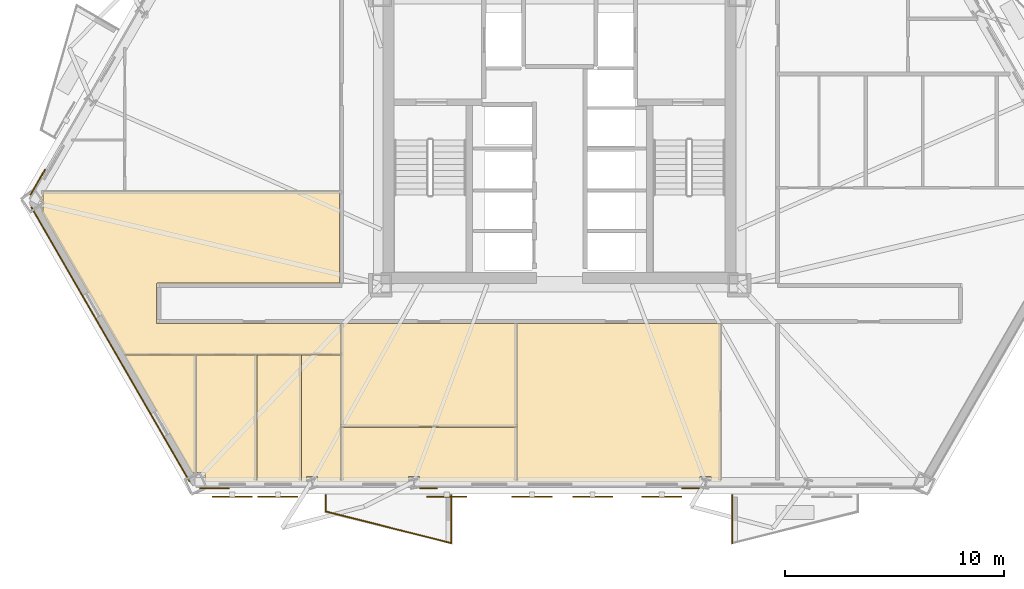
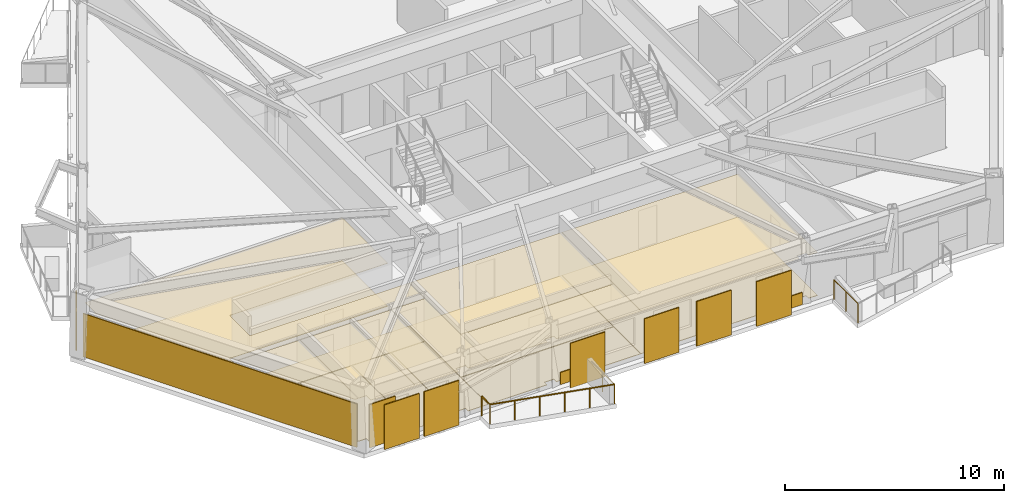
# One storey, part 7 of 12: 21 coverings, 6 shading devices, 4 railings.
"""IFC4 building model written with IfcOpenShell, lengths in metres."""

from ifc_helpers import new_model, si_unit, direction, frame, origin, origin_2d, place, context, subcontext, project, spatial, polyline, rectangle, circle, outline, extrude, material, layer, layer_set, type_object, element, save


model = new_model("IFC4")

# Units and contexts
model_context = context("Model", 3, precision=1e-05, world=origin(), true_north=direction((0.0, 1.0)))
body_context = subcontext(model_context, "Body", "Model", "MODEL_VIEW")
ifc_project = project(units=[si_unit("LENGTHUNIT", "METRE"), si_unit("AREAUNIT", "SQUARE_METRE"), si_unit("VOLUMEUNIT", "CUBIC_METRE"), si_unit("PLANEANGLEUNIT", "RADIAN"), si_unit("MASSUNIT", "GRAM", prefix="KILO")], contexts=[model_context])

# Site, building, storey
site_placement = place(None, origin())
site = spatial("IfcSite", under=ifc_project, at=site_placement, CompositionType="ELEMENT")
building_placement = place(site_placement, origin())
building = spatial("IfcBuilding", under=site, at=building_placement, Name="Oramaril Tower", CompositionType="ELEMENT")
storey_placement = place(building_placement, frame((0.0, 0.0, 45.300048828125)))
storey = spatial("IfcBuildingStorey", under=building, at=storey_placement, Name="L11", CompositionType="ELEMENT", Elevation=45.300048828125)

# Coverings
ifc_material_1 = material(Name="Mineral Fibre Acoustic Ceiling")
ifc_layer_1 = layer(ifc_material_1, 0.02001953125)
ifc_layer_set_1 = layer_set([ifc_layer_1], Name="CVT-CEIL")
covering_type_1 = type_object("IfcCoveringType", Name="CVT-CEIL", PredefinedType="CEILING", material=ifc_layer_set_1)
covering_1_placement = place(storey_placement, frame((0.0, 0.0, 2.39990234375)))
element("IfcCovering", 1, at=covering_1_placement, inside=storey, type_object=covering_type_1, Name="L11 Acoustic Suspended Ceiling 6", PredefinedType="CEILING", context=body_context, shape_type="SweptSolid", body=[
    extrude(outline(polyline([(27.508056640625, 9.199951171875), (35.5419921875, 9.199951171875), (35.5419921875, 4.48388671875), (27.508056640625, 4.48388671875), (27.508056640625, 9.199951171875)])), origin(), (0.0, 0.0, 1.0), 0.02001953125),
])
covering_2_placement = place(storey_placement, frame((0.0, 0.0, 2.39990234375)))
element("IfcCovering", 2, at=covering_2_placement, inside=storey, type_object=covering_type_1, Name="L11 Acoustic Suspended Ceiling 7", PredefinedType="CEILING", context=body_context, shape_type="SweptSolid", body=[
    extrude(outline(polyline([(31.09423828125, 2.21533203125), (30.601318359375, 2.21533203125), (30.601318359375, 1.98583984375), (27.508056640625, 1.98583984375), (27.508056640625, 4.464111328125), (35.5419921875, 4.464111328125), (35.5419921875, 1.98583984375), (31.09423828125, 1.98583984375), (31.09423828125, 2.21533203125)])), origin(), (0.0, 0.0, 1.0), 0.02001953125),
])
covering_3_placement = place(storey_placement, frame((0.0, 0.0, 2.39990234375)))
element("IfcCovering", 3, at=covering_3_placement, inside=storey, type_object=covering_type_1, Name="L11 Acoustic Suspended Ceiling 8", PredefinedType="CEILING", context=body_context, shape_type="SweptSolid", body=[
    extrude(outline(polyline([(44.398681640625, 1.98583984375), (44.398681640625, 2.21533203125), (43.90576171875, 2.21533203125), (43.90576171875, 1.98583984375), (35.56201171875, 1.98583984375), (35.56201171875, 4.464111328125), (35.56201171875, 4.466064453125), (35.5615234375, 4.468017578125), (35.56103515625, 4.4697265625), (35.560546875, 4.4716796875), (35.5595703125, 4.473388671875), (35.559326171875, 4.47412109375), (35.5595703125, 4.474609375), (35.560546875, 4.476318359375), (35.56103515625, 4.478271484375), (35.5615234375, 4.47998046875), (35.56201171875, 4.48193359375), (35.56201171875, 4.48388671875), (35.56201171875, 9.199951171875), (44.863037109375, 9.199951171875), (44.863037109375, 1.98583984375), (44.398681640625, 1.98583984375)])), origin(), (0.0, 0.0, 1.0), 0.02001953125),
])
covering_4_placement = place(storey_placement, frame((0.0, 0.0, 2.39990234375)))
element("IfcCovering", 4, at=covering_4_placement, inside=storey, type_object=covering_type_1, Name="L11 Acoustic Suspended Ceiling 10", PredefinedType="CEILING", context=body_context, shape_type="SweptSolid", body=[
    extrude(outline(polyline([(17.609130859375, 7.781494140625), (13.83544921875, 14.31787109375), (13.89892578125, 14.31787109375), (13.89892578125, 15.241943359375), (27.449951171875, 15.241943359375), (27.449951171875, 11.050048828125), (19.1201171875, 11.050048828125), (19.117919921875, 11.0498046875), (19.1162109375, 11.049560546875), (19.1142578125, 11.049072265625), (19.1123046875, 11.048583984375), (19.110595703125, 11.047607421875), (19.10888671875, 11.046630859375), (19.107421875, 11.04541015625), (19.10595703125, 11.044189453125), (19.1044921875, 11.042724609375), (19.103515625, 11.041015625), (19.102294921875, 11.039306640625), (19.1015625, 11.03759765625), (19.100830078125, 11.035888671875), (19.100341796875, 11.033935546875), (19.10009765625, 11.031982421875), (19.10009765625, 11.030029296875), (19.10009765625, 9.219970703125), (19.10009765625, 9.218017578125), (19.100341796875, 9.216064453125), (19.100830078125, 9.214111328125), (19.1015625, 9.21240234375), (19.102294921875, 9.210693359375), (19.103515625, 9.208984375), (19.1044921875, 9.207275390625), (19.10595703125, 9.205810546875), (19.107421875, 9.20458984375), (19.10888671875, 9.203369140625), (19.110595703125, 9.202392578125), (19.1123046875, 9.201416015625), (19.1142578125, 9.200927734375), (19.1162109375, 9.200439453125), (19.117919921875, 9.2001953125), (19.1201171875, 9.199951171875), (27.488037109375, 9.199951171875), (27.488037109375, 7.781494140625), (17.609130859375, 7.781494140625)])), origin(), (0.0, 0.0, 1.0), 0.02001953125),
])
covering_5_placement = place(storey_placement, frame((0.0, 0.0, 2.39990234375)))
element("IfcCovering", 5, at=covering_5_placement, inside=storey, type_object=covering_type_1, Name="L11 Acoustic Suspended Ceiling 11", PredefinedType="CEILING", context=body_context, shape_type="SweptSolid", body=[
    extrude(outline(polyline([(20.717041015625, 2.398193359375), (17.62060546875, 7.76171875), (20.888916015625, 7.76171875), (20.888916015625, 2.398193359375), (20.717041015625, 2.398193359375)])), origin(), (0.0, 0.0, 1.0), 0.02001953125),
])
covering_6_placement = place(storey_placement, frame((0.0, 0.0, 2.39990234375)))
element("IfcCovering", 6, at=covering_6_placement, inside=storey, type_object=covering_type_1, Name="L11 Acoustic Suspended Ceiling 12", PredefinedType="CEILING", context=body_context, shape_type="SweptSolid", body=[
    extrude(outline(polyline([(21.31298828125, 1.98583984375), (21.31298828125, 2.398193359375), (20.908935546875, 2.398193359375), (20.908935546875, 7.76171875), (23.652099609375, 7.76171875), (23.652099609375, 1.98583984375), (21.31298828125, 1.98583984375)])), origin(), (0.0, 0.0, 1.0), 0.02001953125),
])
covering_7_placement = place(storey_placement, frame((0.0, 0.0, 2.39990234375)))
element("IfcCovering", 7, at=covering_7_placement, inside=storey, type_object=covering_type_1, Name="L11 Acoustic Suspended Ceiling 13", PredefinedType="CEILING", context=body_context, shape_type="SweptSolid", body=[
    extrude(outline(polyline([(23.672119140625, 1.98583984375), (23.672119140625, 7.76171875), (25.701904296875, 7.76171875), (25.701904296875, 1.98583984375), (23.672119140625, 1.98583984375)])), origin(), (0.0, 0.0, 1.0), 0.02001953125),
])
covering_8_placement = place(storey_placement, frame((0.0, 0.0, 2.39990234375)))
element("IfcCovering", 8, at=covering_8_placement, inside=storey, type_object=covering_type_1, Name="L11 Acoustic Suspended Ceiling 14", PredefinedType="CEILING", context=body_context, shape_type="SweptSolid", body=[
    extrude(outline(polyline([(26.444091796875, 1.98583984375), (26.444091796875, 2.21533203125), (25.93798828125, 2.21533203125), (25.93798828125, 1.98583984375), (25.721923828125, 1.98583984375), (25.721923828125, 7.76171875), (27.488037109375, 7.76171875), (27.488037109375, 4.48388671875), (27.488037109375, 4.48193359375), (27.48828125, 4.47998046875), (27.489013671875, 4.478271484375), (27.489501953125, 4.476318359375), (27.490478515625, 4.474609375), (27.49072265625, 4.47412109375), (27.490478515625, 4.473388671875), (27.489501953125, 4.4716796875), (27.489013671875, 4.4697265625), (27.48828125, 4.468017578125), (27.488037109375, 4.466064453125), (27.488037109375, 4.464111328125), (27.488037109375, 1.98583984375), (26.444091796875, 1.98583984375)])), origin(), (0.0, 0.0, 1.0), 0.02001953125),
])
ifc_material_2 = material(Name="Warm Cream Limestone", Category="masonry")
ifc_layer_2 = layer(ifc_material_2, 0.050048828125)
ifc_layer_set_2 = layer_set([ifc_layer_2], Name="CVT-CLD")
covering_type_2 = type_object("IfcCoveringType", Name="CVT-CLD", PredefinedType="CLADDING", material=ifc_layer_set_2)
covering_9_placement = place(storey_placement, frame((16.987060546875, 8.2568359375, 0.0400390625), z_axis=(0.0, 0.0, 1.0), x_axis=(0.499995465495, -0.866028021766, 0.0)))
element("IfcCovering", 9, at=covering_9_placement, inside=storey, type_object=covering_type_2, Name="L11 Warm Cream Limestone Cladding", PredefinedType="CLADDING", context=body_context, shape_type="SweptSolid", body=[
    extrude(rectangle(XDim=14.45458984375, YDim=0.050048828125, at=origin_2d()), origin(), (0.0, 0.0, 1.0), 2.4140625),
])
covering_10_placement = place(storey_placement, frame((21.742919921875, 1.684814453125, 0.0400390625), z_axis=(0.0, 0.0, 1.0), x_axis=(1.0, 0.0, 0.0)))
element("IfcCovering", 10, at=covering_10_placement, inside=storey, type_object=covering_type_2, Name="L11 Warm Cream Limestone Cladding", PredefinedType="CLADDING", context=body_context, shape_type="SweptSolid", body=[
    extrude(rectangle(XDim=1.35009765625, YDim=0.050048828125, at=origin_2d()), origin(), (0.0, 0.0, 1.0), 2.4140625),
])
for number, where, z_axis, x_axis, name in (
    (11, (31.521484375, 1.684814453125, 0.0400390625), (0.0, 0.0, 1.0), (1.0, 0.0, 0.0), "L11 Warm Cream Limestone Spandrel Cladding"),
    (12, (43.478515625, 1.684814453125, 0.0400390625), (0.0, 0.0, 1.0), (1.0, 0.0, 0.0), "L11 Warm Cream Limestone Spandrel Cladding"),
):
    element("IfcCovering", number, at=place(storey_placement, frame(where, z_axis=z_axis, x_axis=x_axis)), inside=storey, type_object=covering_type_2, Name=name, PredefinedType="CLADDING", context=body_context, shape_type="SweptSolid", body=[
        extrude(rectangle(XDim=0.800048828125, YDim=0.050048828125, at=origin_2d()), origin(), (0.0, 0.0, 1.0), 0.679931640625),
    ])
covering_11_placement = place(storey_placement, frame((13.673583984375, 15.66162109375, 0.0400390625), z_axis=(0.0, 0.0, 1.0), x_axis=(-0.500001511499, -0.866024531118, 0.0)))
element("IfcCovering", 13, at=covering_11_placement, inside=storey, type_object=covering_type_2, Name="L11 Warm Cream Limestone Cladding", PredefinedType="CLADDING", context=body_context, shape_type="SweptSolid", body=[
    extrude(rectangle(XDim=1.35009765625, YDim=0.050048828125, at=origin_2d()), origin(), (0.0, 0.0, 1.0), 2.4140625),
])
ifc_material_3 = material(Name="Honed Quartzite Stone Flooring", Category="masonry")
ifc_layer_3 = layer(ifc_material_3, 0.02490234375)
ifc_layer_set_3 = layer_set([ifc_layer_3], Name="CVT-FLR")
covering_type_3 = type_object("IfcCoveringType", Name="CVT-FLR", PredefinedType="FLOORING", material=ifc_layer_set_3)
covering_12_placement = place(storey_placement, origin())
element("IfcCovering", 14, at=covering_12_placement, inside=storey, type_object=covering_type_3, Name="L11 Honed Stone Floor Finish 6", PredefinedType="FLOORING", context=body_context, shape_type="SweptSolid", body=[
    extrude(outline(polyline([(27.508056640625, 9.199951171875), (35.5419921875, 9.199951171875), (35.5419921875, 4.48388671875), (27.508056640625, 4.48388671875), (27.508056640625, 9.199951171875)])), origin(), (0.0, 0.0, 1.0), 0.02490234375),
])
covering_13_placement = place(storey_placement, origin())
element("IfcCovering", 15, at=covering_13_placement, inside=storey, type_object=covering_type_3, Name="L11 Honed Stone Floor Finish 7", PredefinedType="FLOORING", context=body_context, shape_type="SweptSolid", body=[
    extrude(outline(polyline([(31.09423828125, 2.21533203125), (30.601318359375, 2.21533203125), (30.601318359375, 1.98583984375), (27.508056640625, 1.98583984375), (27.508056640625, 4.464111328125), (35.5419921875, 4.464111328125), (35.5419921875, 1.98583984375), (31.09423828125, 1.98583984375), (31.09423828125, 2.21533203125)])), origin(), (0.0, 0.0, 1.0), 0.02490234375),
])
covering_14_placement = place(storey_placement, origin())
element("IfcCovering", 16, at=covering_14_placement, inside=storey, type_object=covering_type_3, Name="L11 Honed Stone Floor Finish 8", PredefinedType="FLOORING", context=body_context, shape_type="SweptSolid", body=[
    extrude(outline(polyline([(44.398681640625, 1.98583984375), (44.398681640625, 2.21533203125), (43.90576171875, 2.21533203125), (43.90576171875, 1.98583984375), (35.56201171875, 1.98583984375), (35.56201171875, 4.464111328125), (35.56201171875, 4.466064453125), (35.5615234375, 4.468017578125), (35.56103515625, 4.4697265625), (35.560546875, 4.4716796875), (35.5595703125, 4.473388671875), (35.559326171875, 4.47412109375), (35.5595703125, 4.474609375), (35.560546875, 4.476318359375), (35.56103515625, 4.478271484375), (35.5615234375, 4.47998046875), (35.56201171875, 4.48193359375), (35.56201171875, 4.48388671875), (35.56201171875, 9.199951171875), (44.863037109375, 9.199951171875), (44.863037109375, 1.98583984375), (44.398681640625, 1.98583984375)])), origin(), (0.0, 0.0, 1.0), 0.02490234375),
])
covering_15_placement = place(storey_placement, origin())
element("IfcCovering", 17, at=covering_15_placement, inside=storey, type_object=covering_type_3, Name="L11 Honed Stone Floor Finish 10", PredefinedType="FLOORING", context=body_context, shape_type="SweptSolid", body=[
    extrude(outline(polyline([(17.609130859375, 7.781494140625), (13.83544921875, 14.31787109375), (13.89892578125, 14.31787109375), (13.89892578125, 15.241943359375), (27.449951171875, 15.241943359375), (27.449951171875, 11.050048828125), (19.1201171875, 11.050048828125), (19.117919921875, 11.0498046875), (19.1162109375, 11.049560546875), (19.1142578125, 11.049072265625), (19.1123046875, 11.048583984375), (19.110595703125, 11.047607421875), (19.10888671875, 11.046630859375), (19.107421875, 11.04541015625), (19.10595703125, 11.044189453125), (19.1044921875, 11.042724609375), (19.103515625, 11.041015625), (19.102294921875, 11.039306640625), (19.1015625, 11.03759765625), (19.100830078125, 11.035888671875), (19.100341796875, 11.033935546875), (19.10009765625, 11.031982421875), (19.10009765625, 11.030029296875), (19.10009765625, 9.219970703125), (19.10009765625, 9.218017578125), (19.100341796875, 9.216064453125), (19.100830078125, 9.214111328125), (19.1015625, 9.21240234375), (19.102294921875, 9.210693359375), (19.103515625, 9.208984375), (19.1044921875, 9.207275390625), (19.10595703125, 9.205810546875), (19.107421875, 9.20458984375), (19.10888671875, 9.203369140625), (19.110595703125, 9.202392578125), (19.1123046875, 9.201416015625), (19.1142578125, 9.200927734375), (19.1162109375, 9.200439453125), (19.117919921875, 9.2001953125), (19.1201171875, 9.199951171875), (27.488037109375, 9.199951171875), (27.488037109375, 7.781494140625), (17.609130859375, 7.781494140625)])), origin(), (0.0, 0.0, 1.0), 0.02490234375),
])
covering_16_placement = place(storey_placement, origin())
element("IfcCovering", 18, at=covering_16_placement, inside=storey, type_object=covering_type_3, Name="L11 Honed Stone Floor Finish 11", PredefinedType="FLOORING", context=body_context, shape_type="SweptSolid", body=[
    extrude(outline(polyline([(20.717041015625, 2.398193359375), (17.62060546875, 7.76171875), (20.888916015625, 7.76171875), (20.888916015625, 2.398193359375), (20.717041015625, 2.398193359375)])), origin(), (0.0, 0.0, 1.0), 0.02490234375),
])
covering_17_placement = place(storey_placement, origin())
element("IfcCovering", 19, at=covering_17_placement, inside=storey, type_object=covering_type_3, Name="L11 Honed Stone Floor Finish 12", PredefinedType="FLOORING", context=body_context, shape_type="SweptSolid", body=[
    extrude(outline(polyline([(21.31298828125, 1.98583984375), (21.31298828125, 2.398193359375), (20.908935546875, 2.398193359375), (20.908935546875, 7.76171875), (23.652099609375, 7.76171875), (23.652099609375, 1.98583984375), (21.31298828125, 1.98583984375)])), origin(), (0.0, 0.0, 1.0), 0.02490234375),
])
covering_18_placement = place(storey_placement, origin())
element("IfcCovering", 20, at=covering_18_placement, inside=storey, type_object=covering_type_3, Name="L11 Honed Stone Floor Finish 13", PredefinedType="FLOORING", context=body_context, shape_type="SweptSolid", body=[
    extrude(outline(polyline([(23.672119140625, 1.98583984375), (23.672119140625, 7.76171875), (25.701904296875, 7.76171875), (25.701904296875, 1.98583984375), (23.672119140625, 1.98583984375)])), origin(), (0.0, 0.0, 1.0), 0.02490234375),
])
covering_19_placement = place(storey_placement, origin())
element("IfcCovering", 21, at=covering_19_placement, inside=storey, type_object=covering_type_3, Name="L11 Honed Stone Floor Finish 14", PredefinedType="FLOORING", context=body_context, shape_type="SweptSolid", body=[
    extrude(outline(polyline([(26.444091796875, 1.98583984375), (26.444091796875, 2.21533203125), (25.93798828125, 2.21533203125), (25.93798828125, 1.98583984375), (25.721923828125, 1.98583984375), (25.721923828125, 7.76171875), (27.488037109375, 7.76171875), (27.488037109375, 4.48388671875), (27.488037109375, 4.48193359375), (27.48828125, 4.47998046875), (27.489013671875, 4.478271484375), (27.489501953125, 4.476318359375), (27.490478515625, 4.474609375), (27.49072265625, 4.47412109375), (27.490478515625, 4.473388671875), (27.489501953125, 4.4716796875), (27.489013671875, 4.4697265625), (27.48828125, 4.468017578125), (27.488037109375, 4.466064453125), (27.488037109375, 4.464111328125), (27.488037109375, 1.98583984375), (26.444091796875, 1.98583984375)])), origin(), (0.0, 0.0, 1.0), 0.02490234375),
])

# Railings
ifc_material_4 = material(Name="Stainless Steel 316L", Category="steel")
railing_type = type_object("IfcRailingType", Name="RLT-GRD", PredefinedType="GUARDRAIL", material=ifc_material_4)
railing_1_placement = place(storey_placement, frame((32.542236328125, 1.369873046875, 0.0)))
element("IfcRailing", 22, at=railing_1_placement, inside=storey, type_object=railing_type, Name="L11 Balcony Guardrail L11-BAL-S1.1", PredefinedType="GUARDRAIL", context=body_context, shape_type="SweptSolid", body=[
    extrude(circle(Radius=0.02392578125, at=origin_2d()), frame((0.0, 0.0, 1.076171875), z_axis=(0.0, -1.0, 0.0), x_axis=(1.0, 0.0, 0.0)), (0.0, 0.0, 1.0), 2.192138671875),
    extrude(circle(Radius=0.02099609375, at=origin_2d()), origin(), (0.0, 0.0, 1.0), 1.052001953125),
    extrude(circle(Radius=0.02099609375, at=origin_2d()), frame((0.0, -1.09619140625, 0.0)), (0.0, 0.0, 1.0), 1.052001953125),
    extrude(circle(Radius=0.02099609375, at=origin_2d()), frame((0.0, -2.192138671875, 0.0)), (0.0, 0.0, 1.0), 1.052001953125),
])
railing_2_placement = place(storey_placement, frame((32.542236328125, -0.822265625, 0.0)))
element("IfcRailing", 23, at=railing_2_placement, inside=storey, type_object=railing_type, Name="L11 Balcony Guardrail L11-BAL-S1.2", PredefinedType="GUARDRAIL", context=body_context, shape_type="SweptSolid", body=[
    extrude(circle(Radius=0.02392578125, at=origin_2d()), frame((0.0, 0.0, 1.076171875), z_axis=(-0.969443611257, 0.245314256807, 0.0), x_axis=(-0.245314256807, -0.969443611257, 0.0)), (0.0, 0.0, 1.0), 5.91064453125),
    extrude(circle(Radius=0.02099609375, at=origin_2d()), origin(), (0.0, 0.0, 1.0), 1.052001953125),
    extrude(circle(Radius=0.02099609375, at=origin_2d()), frame((-1.14599609375, 0.2900390625, 0.0)), (0.0, 0.0, 1.0), 1.052001953125),
    extrude(circle(Radius=0.02099609375, at=origin_2d()), frame((-2.2919921875, 0.580078125, 0.0)), (0.0, 0.0, 1.0), 1.052001953125),
    extrude(circle(Radius=0.02099609375, at=origin_2d()), frame((-3.43798828125, 0.869873046875, 0.0)), (0.0, 0.0, 1.0), 1.052001953125),
    extrude(circle(Radius=0.02099609375, at=origin_2d()), frame((-4.583984375, 1.159912109375, 0.0)), (0.0, 0.0, 1.0), 1.052001953125),
    extrude(circle(Radius=0.02099609375, at=origin_2d()), frame((-5.72998046875, 1.449951171875, 0.0)), (0.0, 0.0, 1.0), 1.052001953125),
])
railing_3_placement = place(storey_placement, frame((26.812255859375, 0.627685546875, 0.0)))
element("IfcRailing", 24, at=railing_3_placement, inside=storey, type_object=railing_type, Name="L11 Balcony Guardrail L11-BAL-S1.3", PredefinedType="GUARDRAIL", context=body_context, shape_type="SweptSolid", body=[
    extrude(circle(Radius=0.02392578125, at=origin_2d()), frame((0.0, 0.0, 1.076171875), z_axis=(0.0, 1.0, 0.0), x_axis=(-1.0, 0.0, 0.0)), (0.0, 0.0, 1.0), 0.7421875),
    extrude(circle(Radius=0.02099609375, at=origin_2d()), origin(), (0.0, 0.0, 1.0), 1.052001953125),
    extrude(circle(Radius=0.02099609375, at=origin_2d()), frame((0.0, 0.7421875, 0.0)), (0.0, 0.0, 1.0), 1.052001953125),
])
railing_4_placement = place(storey_placement, frame((45.3828125, -0.822265625, 0.0)))
element("IfcRailing", 25, at=railing_4_placement, inside=storey, type_object=railing_type, Name="L11 Balcony Guardrail L11-BAL-S2.3", PredefinedType="GUARDRAIL", context=body_context, shape_type="SweptSolid", body=[
    extrude(circle(Radius=0.02392578125, at=origin_2d()), frame((0.0, 0.0, 1.076171875), z_axis=(0.0, 1.0, 0.0), x_axis=(-1.0, 0.0, 0.0)), (0.0, 0.0, 1.0), 2.192138671875),
    extrude(circle(Radius=0.02099609375, at=origin_2d()), origin(), (0.0, 0.0, 1.0), 1.052001953125),
    extrude(circle(Radius=0.02099609375, at=origin_2d()), frame((0.0, 1.09619140625, 0.0)), (0.0, 0.0, 1.0), 1.052001953125),
    extrude(circle(Radius=0.02099609375, at=origin_2d()), frame((0.0, 2.192138671875, 0.0)), (0.0, 0.0, 1.0), 1.052001953125),
])

# Shading devices
for number, where, z_axis, x_axis, name in (
    (26, (32.338623046875, 1.2978515625, -0.02001953125), (0.0, 0.0, 1.0), (1.0, 0.0, 0.0), "L11 Perforated Ceramic Solar Screen"),
    (27, (36.238525390625, 1.2978515625, -0.02001953125), (0.0, 0.0, 1.0), (1.0, 0.0, 0.0), "L11 Perforated Ceramic Solar Screen"),
    (28, (39.004150390625, 1.2978515625, -0.02001953125), (0.0, 0.0, 1.0), (1.0, 0.0, 0.0), "L11 Perforated Ceramic Solar Screen"),
    (29, (42.163818359375, 1.2978515625, -0.02001953125), (0.0, 0.0, 1.0), (1.0, 0.0, 0.0), "L11 Perforated Ceramic Solar Screen"),
    (30, (22.547607421875, 1.2978515625, -0.02001953125), (0.0, 0.0, 1.0), (1.0, 0.0, 0.0), "L11 Perforated Ceramic Solar Screen"),
    (31, (24.635009765625, 1.2978515625, -0.02001953125), (0.0, 0.0, 1.0), (1.0, 0.0, 0.0), "L11 Perforated Ceramic Solar Screen"),
):
    element("IfcShadingDevice", number, at=place(storey_placement, frame(where, z_axis=z_axis, x_axis=x_axis)), inside=storey, Name=name, ObjectType="SCREEN", PredefinedType="USERDEFINED", context=body_context, shape_type="SweptSolid", body=[
        extrude(rectangle(XDim=1.8330078125, YDim=0.050048828125, at=origin_2d()), origin(), (0.0, 0.0, 1.0), 2.493896484375),
    ])

save(model, "model.ifc")
